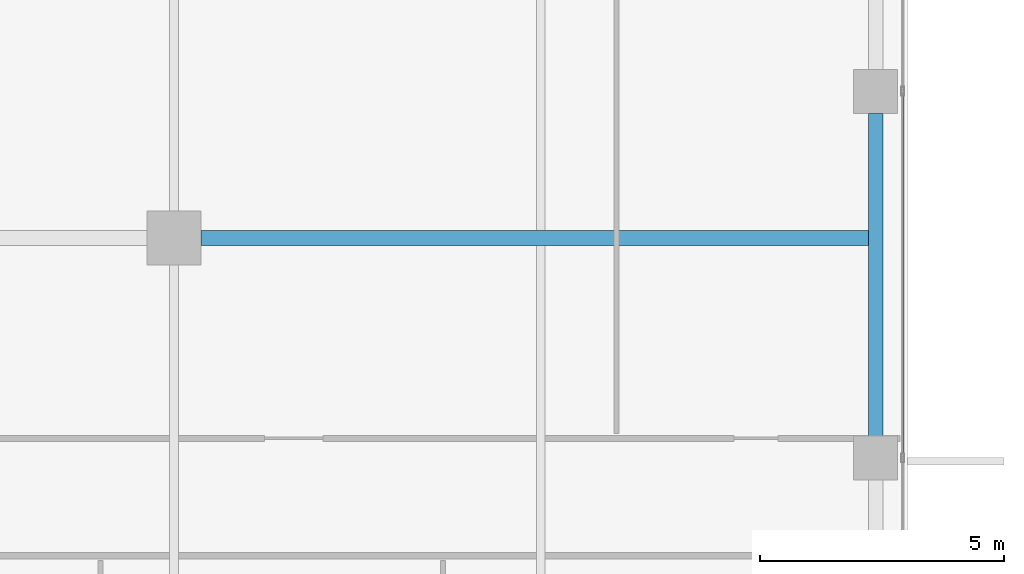
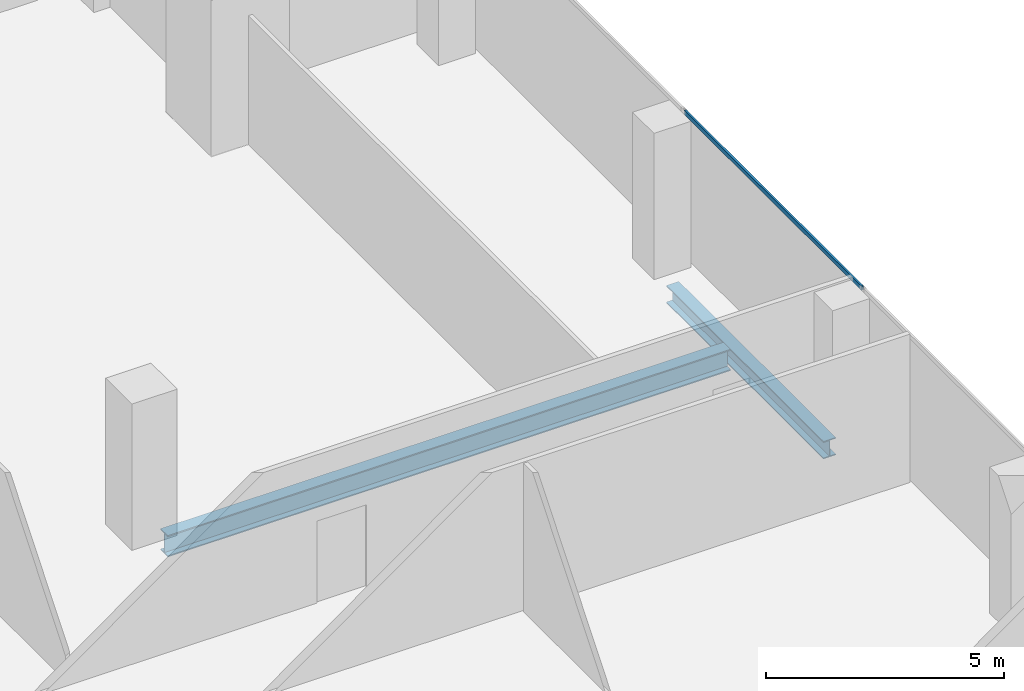
# One storey, part 14 of 34: 2 beams, 1 member, 1 element without a shape of its own.
"""IFC4 building model written with IfcOpenShell, lengths in metres."""

from ifc_helpers import new_model, si_unit, direction, frame, origin, origin_2d, place, context, subcontext, project, spatial, hollow_rectangle, i_section, extrude, source, transform, mapped, material, material_profile, profile_set, type_object, element, aggregate, save


model = new_model("IFC4")

# Units and contexts
model_context = context("Model", 3, precision=1e-05, world=origin(), true_north=direction((0.0, 1.0)))
body_context = subcontext(model_context, "Body", "Model", "MODEL_VIEW")
ifc_project = project(units=[si_unit("LENGTHUNIT", "METRE"), si_unit("AREAUNIT", "SQUARE_METRE"), si_unit("VOLUMEUNIT", "CUBIC_METRE"), si_unit("PLANEANGLEUNIT", "RADIAN"), si_unit("MASSUNIT", "GRAM", prefix="KILO")], contexts=[model_context])

# Site, building, storey
site_placement = place(None, origin())
site = spatial("IfcSite", under=ifc_project, at=site_placement, CompositionType="ELEMENT")
building_placement = place(site_placement, origin())
building = spatial("IfcBuilding", under=site, at=building_placement, Name="Khomas Fold Tower", CompositionType="ELEMENT")
storey_placement = place(building_placement, frame((0.0, 0.0, 242.199951171875)))
storey = spatial("IfcBuildingStorey", under=building, at=storey_placement, Name="L54", CompositionType="ELEMENT", Elevation=242.199951171875)

# Beams
ifc_material_1 = material(Name="Steel S355", Category="steel")
ifc_material_profile_1 = material_profile(ifc_material_1, i_section(OverallWidth=0.300048828125, OverallDepth=0.449951171875, WebThickness=0.013916015625, FlangeThickness=0.02587890625, at=origin_2d()), Name="HE 450 B")
ifc_profile_set_1 = profile_set([ifc_material_profile_1], Name="Steel S355")
beam_type_1 = type_object("IfcBeamType", Name="HE 450 B spandrel SB4", PredefinedType="SPANDREL", material=ifc_profile_set_1)
shared_shape_1 = source(origin(), body_context, "Body", "SweptSolid", [
    extrude(i_section(OverallWidth=0.300048828125, OverallDepth=0.449951171875, WebThickness=0.013916015625, FlangeThickness=0.02587890625, at=origin_2d()), origin(), (0.0, 0.0, 1.0), 6.60009765625),
])
beam_1_placement = place(storey_placement, frame((48.85009765625, 27.449951171875, -0.474853515625), z_axis=(0.0, 1.0, 0.0), x_axis=(-1.0, 0.0, 0.0)))
element("IfcBeam", 1, at=beam_1_placement, inside=storey, type_object=beam_type_1, Name="SB4", PredefinedType="SPANDREL", context=body_context, shape_type="MappedRepresentation", body=[
    mapped(shared_shape_1, transform((0.0, 0.0, 0.0))),
])
ifc_material_2 = material(Name="Steel S355", Category="steel")
ifc_material_profile_2 = material_profile(ifc_material_2, i_section(OverallWidth=0.300048828125, OverallDepth=0.550048828125, WebThickness=0.014892578125, FlangeThickness=0.029052734375, at=origin_2d()), Name="HE 550 B")
ifc_profile_set_2 = profile_set([ifc_material_profile_2], Name="Steel S355")
beam_type_2 = type_object("IfcBeamType", Name="HE 550 B beam GB4", PredefinedType="BEAM", material=ifc_profile_set_2)
shared_shape_2 = source(origin(), body_context, "Body", "SweptSolid", [
    extrude(i_section(OverallWidth=0.300048828125, OverallDepth=0.550048828125, WebThickness=0.014892578125, FlangeThickness=0.029052734375, at=origin_2d()), origin(), (0.0, 0.0, 1.0), 13.64990234375),
])
beam_2_placement = place(storey_placement, frame((35.050048828125, 31.5, -0.52490234375), z_axis=(1.0, 0.0, 0.0), x_axis=(0.0, 1.0, 0.0)))
element("IfcBeam", 2, at=beam_2_placement, inside=storey, type_object=beam_type_2, Name="GB4", PredefinedType="BEAM", context=body_context, shape_type="MappedRepresentation", body=[
    mapped(shared_shape_2, transform((0.0, 0.0, 0.0))),
])

# Curtain wall, member
ifc_material_3 = material(Name="Aluminium framed double glazing", Category="aluminium")
curtain_wall_type = type_object("IfcCurtainWallType", Name="SK-Unitised clear-glass wall, office floors CW2", PredefinedType="NOTDEFINED", material=ifc_material_3)
curtain_wall_placement = place(storey_placement, origin())
curtain_wall = element("IfcCurtainWall", 3, at=curtain_wall_placement, inside=storey, type_object=curtain_wall_type, Name="CW2 run L54 03-0", PredefinedType="NOTDEFINED")
ifc_material_4 = material(Name="Aluminium", Category="aluminium")
ifc_material_profile_3 = material_profile(ifc_material_4, hollow_rectangle(XDim=0.050048828125, YDim=0.110107421875, WallThickness=0.00390625, at=origin_2d()), Name="SK-Unitised clear-glass wall, office floors transom CW2-T")
ifc_profile_set_3 = profile_set([ifc_material_profile_3], Name="Aluminium")
member_type = type_object("IfcMemberType", Name="SK-Unitised clear-glass wall, office floors transom CW2-T", PredefinedType="USERDEFINED", material=ifc_profile_set_3)
shared_shape_3 = source(origin(), body_context, "Body", "SweptSolid", [
    extrude(hollow_rectangle(XDim=0.050048828125, YDim=0.110107421875, WallThickness=0.00390625, at=origin_2d()), origin(), (0.0, 0.0, 1.0), 7.43994140625),
])
member_placement = place(storey_placement, frame((49.39990234375, 27.030029296875, 3.695068359375), z_axis=(0.0, 1.0, 0.0), x_axis=(-1.0, 0.0, 0.0)))
member = element("IfcMember", 4, at=member_placement, type_object=member_type, Name="CW2 transom 4", ObjectType="TRANSOM", PredefinedType="USERDEFINED", context=body_context, shape_type="MappedRepresentation", body=[
    mapped(shared_shape_3, transform((0.0, 0.0, 0.0))),
])
aggregate(curtain_wall, [member])

save(model, "model.ifc")
